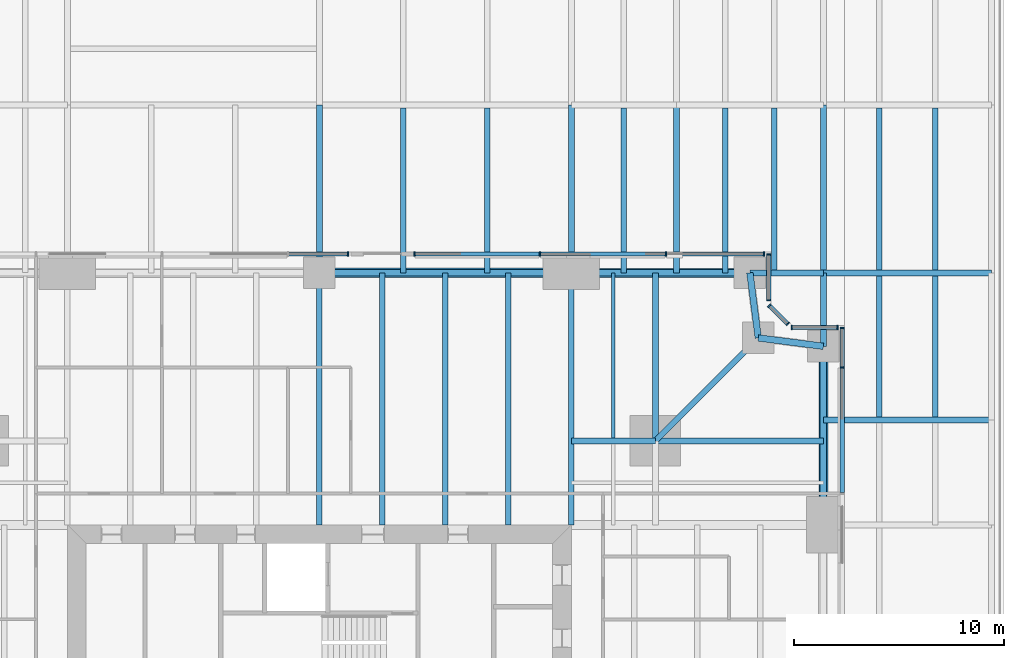
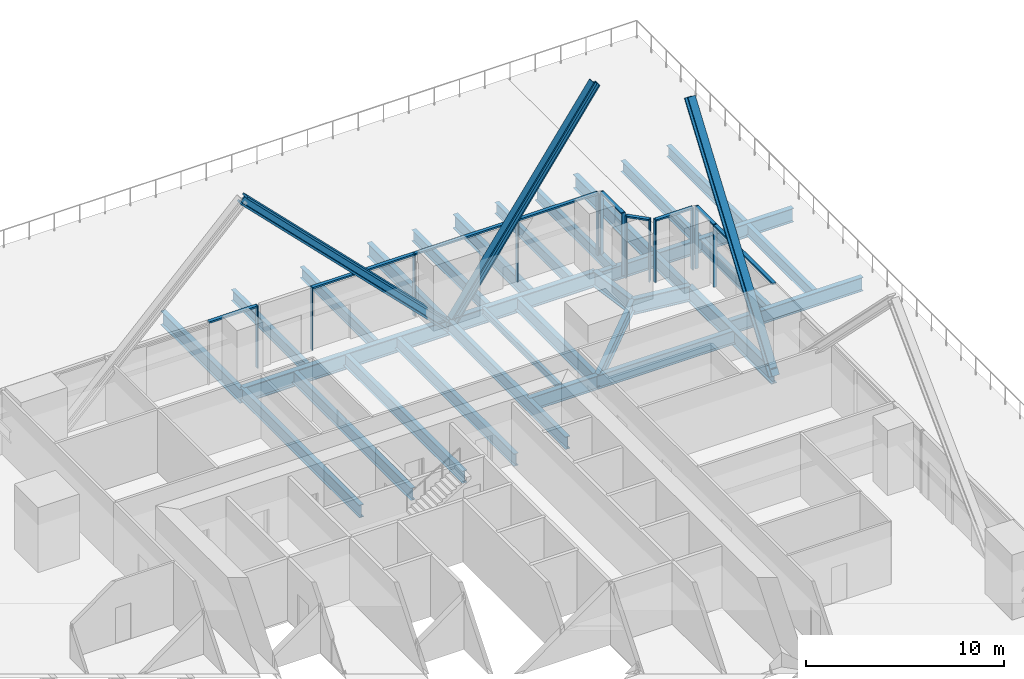
# One storey, part 9 of 21: 32 beams, 25 members, 6 elements without a shape of their own.
"""IFC4 building model written with IfcOpenShell, lengths in metres."""

from ifc_helpers import new_model, si_unit, direction, frame, origin, origin_2d, place, context, subcontext, project, spatial, rectangle, i_section, extrude, material, material_profile, profile_set, type_object, element, aggregate, save


model = new_model("IFC4")

# Units and contexts
model_context = context("Model", 3, precision=1e-05, world=origin(), true_north=direction((0.0, 1.0)))
body_context = subcontext(model_context, "Body", "Model", "MODEL_VIEW")
ifc_project = project(units=[si_unit("LENGTHUNIT", "METRE"), si_unit("AREAUNIT", "SQUARE_METRE"), si_unit("VOLUMEUNIT", "CUBIC_METRE"), si_unit("PLANEANGLEUNIT", "RADIAN"), si_unit("MASSUNIT", "GRAM", prefix="KILO")], contexts=[model_context])

# Site, building, storey
site_placement = place(None, origin())
site = spatial("IfcSite", under=ifc_project, at=site_placement, CompositionType="ELEMENT")
building_placement = place(site_placement, origin())
building = spatial("IfcBuilding", under=site, at=building_placement, Name="Fenwick Lantern Interchange", CompositionType="ELEMENT")
storey_placement = place(building_placement, frame((0.0, 0.0, 31.0)))
storey = spatial("IfcBuildingStorey", under=building, at=storey_placement, Name="L06", CompositionType="ELEMENT", Elevation=31.0)

# Beams
ifc_material_1 = material(Name="Steel ASTM A992 Grade 50", Category="steel")
ifc_material_profile_1 = material_profile(ifc_material_1, i_section(OverallWidth=0.309814453125, OverallDepth=0.949951171875, WebThickness=0.0244140625, FlangeThickness=0.0439453125, at=origin_2d()), Name="W36X256")
ifc_profile_set_1 = profile_set([ifc_material_profile_1], Name="Steel ASTM A992 Grade 50")
beam_type_1 = type_object("IfcBeamType", Name="EDGE BEAM W36X256", PredefinedType="SPANDREL", material=ifc_profile_set_1)
beam_1_placement = place(storey_placement, frame((49.0, 37.0, -0.625), z_axis=(0.0, 1.0, 0.0), x_axis=(-1.0, 0.0, 0.0)))
element("IfcBeam", 1, at=beam_1_placement, inside=storey, type_object=beam_type_1, Name="L06/FR/E/EB4", PredefinedType="SPANDREL", context=body_context, shape_type="SweptSolid", body=[
    extrude(i_section(OverallWidth=0.309814453125, OverallDepth=0.949951171875, WebThickness=0.0244140625, FlangeThickness=0.0439453125, at=origin_2d()), origin(), (0.0, 0.0, 1.0), 8.5),
])
for number, where, z_axis, x_axis, name in (
    (2, (49.0, 45.5, -0.625), (-0.991782342897, 0.127936641807, 0.0), (-0.127936641807, -0.991782342897, 0.0), "L06/FR/E/EBR1"),
    (3, (45.89990234375, 45.89990234375, -0.625), (-0.127936641807, 0.991782342897, 0.0), (-0.991782342897, -0.127936641807, 0.0), "L06/FR/E/EBR2"),
):
    element("IfcBeam", number, at=place(storey_placement, frame(where, z_axis=z_axis, x_axis=x_axis)), inside=storey, type_object=beam_type_1, Name=name, PredefinedType="SPANDREL", context=body_context, shape_type="SweptSolid", body=[
        extrude(i_section(OverallWidth=0.309814453125, OverallDepth=0.949951171875, WebThickness=0.0244140625, FlangeThickness=0.0439453125, at=origin_2d()), origin(), (0.0, 0.0, 1.0), 3.125732421875),
    ])
beam_2_placement = place(storey_placement, frame((45.5, 49.0, -0.625), z_axis=(-1.0, 0.0, 0.0), x_axis=(0.0, -1.0, 0.0)))
element("IfcBeam", 4, at=beam_2_placement, inside=storey, type_object=beam_type_1, Name="L06/FR/N/EB1", PredefinedType="SPANDREL", context=body_context, shape_type="SweptSolid", body=[
    extrude(i_section(OverallWidth=0.309814453125, OverallDepth=0.949951171875, WebThickness=0.0244140625, FlangeThickness=0.0439453125, at=origin_2d()), origin(), (0.0, 0.0, 1.0), 8.5),
])
beam_3_placement = place(storey_placement, frame((37.0, 49.0, -0.625), z_axis=(-1.0, 0.0, 0.0), x_axis=(0.0, -1.0, 0.0)))
element("IfcBeam", 5, at=beam_3_placement, inside=storey, type_object=beam_type_1, Name="L06/FR/N/EB2", PredefinedType="SPANDREL", context=body_context, shape_type="SweptSolid", body=[
    extrude(i_section(OverallWidth=0.309814453125, OverallDepth=0.949951171875, WebThickness=0.0244140625, FlangeThickness=0.0439453125, at=origin_2d()), origin(), (0.0, 0.0, 1.0), 12.0),
])

# Members
ifc_material_profile_2 = material_profile(ifc_material_1, i_section(OverallWidth=0.424072265625, OverallDepth=0.47509765625, WebThickness=0.0478515625, FlangeThickness=0.0771484375, at=origin_2d()), Name="W14X426")
ifc_profile_set_2 = profile_set([ifc_material_profile_2], Name="Steel ASTM A992 Grade 50")
member_type_1 = type_object("IfcMemberType", Name="FACADE BRACE W14X426", PredefinedType="BRACE", material=ifc_profile_set_2)
for number, where, z_axis, x_axis, name in (
    (6, (49.0, 37.0, -0.625), (0.0, 0.577407021852, 0.816456447776), (-1.0, 0.0, 0.0), "L06/FB/E/BE"),
    (7, (37.0, 49.0, -0.625), (0.577407021852, 0.0, 0.816456447776), (0.0, 1.0, 0.0), "L06/FB/N/AE"),
):
    element("IfcMember", number, at=place(storey_placement, frame(where, z_axis=z_axis, x_axis=x_axis)), inside=storey, type_object=member_type_1, Name=name, PredefinedType="BRACE", context=body_context, shape_type="SweptSolid", body=[
        extrude(i_section(OverallWidth=0.424072265625, OverallDepth=0.47509765625, WebThickness=0.0478515625, FlangeThickness=0.0771484375, at=origin_2d()), origin(), (0.0, 0.0, 1.0), 14.720947265625),
    ])
ifc_material_profile_3 = material_profile(ifc_material_1, i_section(OverallWidth=0.44189453125, OverallDepth=0.53076171875, WebThickness=0.06591796875, FlangeThickness=0.105712890625, at=origin_2d()), Name="W14X605")
ifc_profile_set_3 = profile_set([ifc_material_profile_3], Name="Steel ASTM A992 Grade 50")
member_type_2 = type_object("IfcMemberType", Name="FACADE BRACE W14X605", PredefinedType="BRACE", material=ifc_profile_set_3)
member_1_placement = place(storey_placement, frame((37.0, 49.0, -0.625), z_axis=(-0.706545945103, 0.0, 0.707667172799), x_axis=(0.0, -1.0, 0.0)))
element("IfcMember", 8, at=member_1_placement, inside=storey, type_object=member_type_2, Name="L06/FB/N/A", PredefinedType="BRACE", context=body_context, shape_type="SweptSolid", body=[
    extrude(i_section(OverallWidth=0.44189453125, OverallDepth=0.53076171875, WebThickness=0.06591796875, FlangeThickness=0.105712890625, at=origin_2d()), origin(), (0.0, 0.0, 1.0), 16.984130859375),
])

# Beams
ifc_material_profile_4 = material_profile(ifc_material_1, i_section(OverallWidth=0.2666015625, OverallDepth=0.7568359375, WebThickness=0.013916015625, FlangeThickness=0.019287109375, at=origin_2d()), Name="W30X108")
ifc_profile_set_4 = profile_set([ifc_material_profile_4], Name="Steel ASTM A992 Grade 50")
beam_type_2 = type_object("IfcBeamType", Name="FLOOR BEAM W30X108", PredefinedType="BEAM", material=ifc_profile_set_4)
for number, where, z_axis, x_axis, name in (
    (9, (34.0, 49.0, -0.528564453125), (0.0, -1.0, 0.0), (1.0, 0.0, 0.0), "L06/FR/N/R02"),
    (10, (31.0, 49.0, -0.528564453125), (0.0, -1.0, 0.0), (1.0, 0.0, 0.0), "L06/FR/N/R03"),
    (11, (28.0, 49.0, -0.528564453125), (0.0, -1.0, 0.0), (1.0, 0.0, 0.0), "L06/FR/N/R04"),
):
    element("IfcBeam", number, at=place(storey_placement, frame(where, z_axis=z_axis, x_axis=x_axis)), inside=storey, type_object=beam_type_2, Name=name, PredefinedType="BEAM", context=body_context, shape_type="SweptSolid", body=[
        extrude(i_section(OverallWidth=0.2666015625, OverallDepth=0.7568359375, WebThickness=0.013916015625, FlangeThickness=0.019287109375, at=origin_2d()), origin(), (0.0, 0.0, 1.0), 12.0),
    ])
ifc_material_profile_5 = material_profile(ifc_material_1, i_section(OverallWidth=0.177734375, OverallDepth=0.406494140625, WebThickness=0.0078125, FlangeThickness=0.012939453125, at=origin_2d()), Name="W16X40")
ifc_profile_set_5 = profile_set([ifc_material_profile_5], Name="Steel ASTM A992 Grade 50")
beam_type_3 = type_object("IfcBeamType", Name="INFILL BEAM W16X40", PredefinedType="JOIST", material=ifc_profile_set_5)
beam_4_placement = place(storey_placement, frame((39.0, 49.0, -0.353271484375), z_axis=(0.0, -1.0, 0.0), x_axis=(1.0, 0.0, 0.0)))
element("IfcBeam", 12, at=beam_4_placement, inside=storey, type_object=beam_type_3, Name="L06/FR/N/J1", PredefinedType="JOIST", context=body_context, shape_type="SweptSolid", body=[
    extrude(i_section(OverallWidth=0.177734375, OverallDepth=0.406494140625, WebThickness=0.0078125, FlangeThickness=0.012939453125, at=origin_2d()), origin(), (0.0, 0.0, 1.0), 7.85400390625),
])
ifc_material_profile_6 = material_profile(ifc_material_1, i_section(OverallWidth=0.2919921875, OverallDepth=0.845703125, WebThickness=0.015380859375, FlangeThickness=0.0244140625, at=origin_2d()), Name="W33X141")
ifc_profile_set_6 = profile_set([ifc_material_profile_6], Name="Steel ASTM A992 Grade 50")
beam_type_4 = type_object("IfcBeamType", Name="MEGA COLUMN BEAM W33X141", PredefinedType="BEAM", material=ifc_profile_set_6)
for number, where, z_axis, x_axis, name in (
    (13, (41.0, 41.0, -0.572998046875), (0.0, 1.0, 0.0), (-1.0, 0.0, 0.0), "L06/FR/N/MB1"),
    (14, (41.0, 41.0, -0.572998046875), (1.0, 0.0, 0.0), (0.0, 1.0, 0.0), "L06/FR/N/MB2"),
):
    element("IfcBeam", number, at=place(storey_placement, frame(where, z_axis=z_axis, x_axis=x_axis)), inside=storey, type_object=beam_type_4, Name=name, PredefinedType="BEAM", context=body_context, shape_type="SweptSolid", body=[
        extrude(i_section(OverallWidth=0.2919921875, OverallDepth=0.845703125, WebThickness=0.015380859375, FlangeThickness=0.0244140625, at=origin_2d()), origin(), (0.0, 0.0, 1.0), 8.0),
    ])
beam_5_placement = place(storey_placement, frame((41.0, 41.0, -0.572998046875), z_axis=(-1.0, 0.0, 0.0), x_axis=(0.0, -1.0, 0.0)))
element("IfcBeam", 15, at=beam_5_placement, inside=storey, type_object=beam_type_4, Name="L06/FR/N/MB3", PredefinedType="BEAM", context=body_context, shape_type="SweptSolid", body=[
    extrude(i_section(OverallWidth=0.2919921875, OverallDepth=0.845703125, WebThickness=0.015380859375, FlangeThickness=0.0244140625, at=origin_2d()), origin(), (0.0, 0.0, 1.0), 4.0),
])
ifc_material_profile_7 = material_profile(ifc_material_1, i_section(OverallWidth=0.2666015625, OverallDepth=0.76953125, WebThickness=0.015625, FlangeThickness=0.025390625, at=origin_2d()), Name="W30X132")
ifc_profile_set_7 = profile_set([ifc_material_profile_7], Name="Steel ASTM A992 Grade 50")
beam_type_5 = type_object("IfcBeamType", Name="MOMENT-CONNECTED GIRDER W30X132", PredefinedType="BEAM", material=ifc_profile_set_7)
for number, where, z_axis, x_axis, name in (
    (16, (37.0, 49.0, -0.534912109375), (0.0, -1.0, 0.0), (1.0, 0.0, 0.0), "L06/FR/N/R01"),
    (17, (25.0, 49.0, -0.534912109375), (0.0, -1.0, 0.0), (1.0, 0.0, 0.0), "L06/FR/N/R05"),
):
    element("IfcBeam", number, at=place(storey_placement, frame(where, z_axis=z_axis, x_axis=x_axis)), inside=storey, type_object=beam_type_5, Name=name, PredefinedType="BEAM", context=body_context, shape_type="SweptSolid", body=[
        extrude(i_section(OverallWidth=0.2666015625, OverallDepth=0.76953125, WebThickness=0.015625, FlangeThickness=0.025390625, at=origin_2d()), origin(), (0.0, 0.0, 1.0), 12.0),
    ])
ifc_material_profile_8 = material_profile(ifc_material_1, i_section(OverallWidth=0.2919921875, OverallDepth=0.845703125, WebThickness=0.015380859375, FlangeThickness=0.0244140625, at=origin_2d()), Name="W33X141")
ifc_profile_set_8 = profile_set([ifc_material_profile_8], Name="Steel ASTM A992 Grade 50")
beam_type_6 = type_object("IfcBeamType", Name="MOMENT-CONNECTED PODIUM GIRDER W33X141", PredefinedType="BEAM", material=ifc_profile_set_8)
beam_6_placement = place(storey_placement, frame((49.0, 42.0, -0.722900390625), z_axis=(1.0, 0.0, 0.0), x_axis=(0.0, 1.0, 0.0)))
element("IfcBeam", 18, at=beam_6_placement, inside=storey, type_object=beam_type_6, Name="L06/PF/G022", PredefinedType="BEAM", context=body_context, shape_type="SweptSolid", body=[
    extrude(i_section(OverallWidth=0.2919921875, OverallDepth=0.845703125, WebThickness=0.015380859375, FlangeThickness=0.0244140625, at=origin_2d()), origin(), (0.0, 0.0, 1.0), 8.0),
])
beam_7_placement = place(storey_placement, frame((45.5, 49.0, -0.722900390625), z_axis=(1.0, 0.0, 0.0), x_axis=(0.0, 1.0, 0.0)))
element("IfcBeam", 19, at=beam_7_placement, inside=storey, type_object=beam_type_6, Name="L06/PF/G025", PredefinedType="BEAM", context=body_context, shape_type="SweptSolid", body=[
    extrude(i_section(OverallWidth=0.2919921875, OverallDepth=0.845703125, WebThickness=0.015380859375, FlangeThickness=0.0244140625, at=origin_2d()), origin(), (0.0, 0.0, 1.0), 3.5),
])
for number, where, z_axis, x_axis, name in (
    (20, (49.0, 49.0, -0.722900390625), (1.0, 0.0, 0.0), (0.0, 1.0, 0.0), "L06/PF/G026"),
    (21, (25.0, 49.0, -0.722900390625), (0.0, 1.0, 0.0), (-1.0, 0.0, 0.0), "L06/PF/G064"),
    (22, (37.0, 49.0, -0.722900390625), (0.0, 1.0, 0.0), (-1.0, 0.0, 0.0), "L06/PF/G067"),
    (23, (42.0, 49.0, -0.722900390625), (0.0, 1.0, 0.0), (-1.0, 0.0, 0.0), "L06/PF/G070"),
):
    element("IfcBeam", number, at=place(storey_placement, frame(where, z_axis=z_axis, x_axis=x_axis)), inside=storey, type_object=beam_type_6, Name=name, PredefinedType="BEAM", context=body_context, shape_type="SweptSolid", body=[
        extrude(i_section(OverallWidth=0.2919921875, OverallDepth=0.845703125, WebThickness=0.015380859375, FlangeThickness=0.0244140625, at=origin_2d()), origin(), (0.0, 0.0, 1.0), 8.0),
    ])
beam_8_placement = place(storey_placement, frame((49.0, 45.5, -0.722900390625), z_axis=(0.0, 1.0, 0.0), x_axis=(-1.0, 0.0, 0.0)))
element("IfcBeam", 24, at=beam_8_placement, inside=storey, type_object=beam_type_6, Name="L06/PF/G074", PredefinedType="BEAM", context=body_context, shape_type="SweptSolid", body=[
    extrude(i_section(OverallWidth=0.2919921875, OverallDepth=0.845703125, WebThickness=0.015380859375, FlangeThickness=0.0244140625, at=origin_2d()), origin(), (0.0, 0.0, 1.0), 3.5),
])
beam_9_placement = place(storey_placement, frame((49.0, 49.0, -0.722900390625), z_axis=(0.0, 1.0, 0.0), x_axis=(-1.0, 0.0, 0.0)))
element("IfcBeam", 25, at=beam_9_placement, inside=storey, type_object=beam_type_6, Name="L06/PF/G075", PredefinedType="BEAM", context=body_context, shape_type="SweptSolid", body=[
    extrude(i_section(OverallWidth=0.2919921875, OverallDepth=0.845703125, WebThickness=0.015380859375, FlangeThickness=0.0244140625, at=origin_2d()), origin(), (0.0, 0.0, 1.0), 8.0),
])
ifc_material_profile_9 = material_profile(ifc_material_1, i_section(OverallWidth=0.2666015625, OverallDepth=0.7568359375, WebThickness=0.013916015625, FlangeThickness=0.019287109375, at=origin_2d()), Name="W30X108")
ifc_profile_set_9 = profile_set([ifc_material_profile_9], Name="Steel ASTM A992 Grade 50")
beam_type_7 = type_object("IfcBeamType", Name="NOTCH BEAM W30X108", PredefinedType="BEAM", material=ifc_profile_set_9)
beam_10_placement = place(storey_placement, frame((41.0, 41.0, -0.528564453125), z_axis=(0.707106781187, 0.707106781187, 0.0), x_axis=(-0.707106781187, 0.707106781187, 0.0)))
element("IfcBeam", 26, at=beam_10_placement, inside=storey, type_object=beam_type_7, Name="L06/FR/N/TG", PredefinedType="BEAM", context=body_context, shape_type="SweptSolid", body=[
    extrude(i_section(OverallWidth=0.2666015625, OverallDepth=0.7568359375, WebThickness=0.013916015625, FlangeThickness=0.019287109375, at=origin_2d()), origin(), (0.0, 0.0, 1.0), 6.929443359375),
])

# Curtain wall, members
ifc_material_2 = material(Name="Aluminium curtain wall frame", Category="aluminium")
curtain_wall_type = type_object("IfcCurtainWallType", Name="OFFICE CURTAIN WALL", PredefinedType="USERDEFINED", material=ifc_material_2)
curtain_wall_1_placement = place(storey_placement, origin())
curtain_wall_1 = element("IfcCurtainWall", 27, at=curtain_wall_1_placement, inside=storey, type_object=curtain_wall_type, Name="Office curtain wall 05B", ObjectType="OFFICE CURTAIN WALL", PredefinedType="USERDEFINED")
ifc_material_3 = material(Name="Aluminium extrusion", Category="aluminium")
ifc_material_profile_10 = material_profile(ifc_material_3, rectangle(XDim=0.199951171875, YDim=0.06494140625, at=origin_2d()), Name="OFFICE CURTAIN WALL MULLION 65 X 200")
ifc_profile_set_10 = profile_set([ifc_material_profile_10], Name="Aluminium extrusion")
member_type_3 = type_object("IfcMemberType", Name="OFFICE CURTAIN WALL MULLION 65 X 200", PredefinedType="MULLION", material=ifc_profile_set_10)
member_2_placement = place(storey_placement, frame((49.89990234375, 44.5, 0.0), z_axis=(0.0, 0.0, 1.0), x_axis=(-1.0, 0.0, 0.0)))
member_2 = element("IfcMember", 28, at=member_2_placement, type_object=member_type_3, Name="L06/CW/05B/M04", PredefinedType="MULLION", context=body_context, shape_type="SweptSolid", body=[
    extrude(rectangle(XDim=0.199951171875, YDim=0.06494140625, at=origin_2d()), origin(), (0.0, 0.0, 1.0), 3.85009765625),
])
member_3_placement = place(storey_placement, frame((49.89990234375, 46.367431640625, 0.0), z_axis=(0.0, 0.0, 1.0), x_axis=(-1.0, 0.0, 0.0)))
member_3 = element("IfcMember", 29, at=member_3_placement, type_object=member_type_3, Name="L06/CW/05B/M05", PredefinedType="MULLION", context=body_context, shape_type="SweptSolid", body=[
    extrude(rectangle(XDim=0.199951171875, YDim=0.06494140625, at=origin_2d()), origin(), (0.0, 0.0, 1.0), 3.85009765625),
])

curtain_wall_2_placement = place(storey_placement, origin())
curtain_wall_2 = element("IfcCurtainWall", 30, at=curtain_wall_2_placement, inside=storey, type_object=curtain_wall_type, Name="Office curtain wall 06", ObjectType="OFFICE CURTAIN WALL", PredefinedType="USERDEFINED")
member_4_placement = place(storey_placement, frame((49.66748046875, 46.39990234375, 0.0), z_axis=(0.0, 0.0, 1.0), x_axis=(0.0, -1.0, 0.0)))
member_4 = element("IfcMember", 31, at=member_4_placement, type_object=member_type_3, Name="L06/CW/06/M00", PredefinedType="MULLION", context=body_context, shape_type="SweptSolid", body=[
    extrude(rectangle(XDim=0.199951171875, YDim=0.06494140625, at=origin_2d()), origin(), (0.0, 0.0, 1.0), 3.85009765625),
])
member_5_placement = place(storey_placement, frame((47.490966796875, 46.39990234375, 0.0), z_axis=(0.0, 0.0, 1.0), x_axis=(0.0, -1.0, 0.0)))
member_5 = element("IfcMember", 32, at=member_5_placement, type_object=member_type_3, Name="L06/CW/06/M01", PredefinedType="MULLION", context=body_context, shape_type="SweptSolid", body=[
    extrude(rectangle(XDim=0.199951171875, YDim=0.06494140625, at=origin_2d()), origin(), (0.0, 0.0, 1.0), 3.85009765625),
])

curtain_wall_3_placement = place(storey_placement, origin())
curtain_wall_3 = element("IfcCurtainWall", 33, at=curtain_wall_3_placement, inside=storey, type_object=curtain_wall_type, Name="Office curtain wall 07", ObjectType="OFFICE CURTAIN WALL", PredefinedType="USERDEFINED")
member_6_placement = place(storey_placement, frame((47.294189453125, 46.564453125, 0.0), z_axis=(0.0, 0.0, 1.0), x_axis=(-0.707106781187, -0.707106781187, 0.0)))
member_6 = element("IfcMember", 34, at=member_6_placement, type_object=member_type_3, Name="L06/CW/07/M00", PredefinedType="MULLION", context=body_context, shape_type="SweptSolid", body=[
    extrude(rectangle(XDim=0.199951171875, YDim=0.06494140625, at=origin_2d()), origin(), (0.0, 0.0, 1.0), 3.85009765625),
])
member_7_placement = place(storey_placement, frame((46.423095703125, 47.435546875, 0.0), z_axis=(0.0, 0.0, 1.0), x_axis=(-0.707106781187, -0.707106781187, 0.0)))
member_7 = element("IfcMember", 35, at=member_7_placement, type_object=member_type_3, Name="L06/CW/07/M01", PredefinedType="MULLION", context=body_context, shape_type="SweptSolid", body=[
    extrude(rectangle(XDim=0.199951171875, YDim=0.06494140625, at=origin_2d()), origin(), (0.0, 0.0, 1.0), 3.85009765625),
])

curtain_wall_4_placement = place(storey_placement, origin())
curtain_wall_4 = element("IfcCurtainWall", 36, at=curtain_wall_4_placement, inside=storey, type_object=curtain_wall_type, Name="Office curtain wall 08", ObjectType="OFFICE CURTAIN WALL", PredefinedType="USERDEFINED")
member_8_placement = place(storey_placement, frame((46.39990234375, 47.691162109375, 0.0), z_axis=(0.0, 0.0, 1.0), x_axis=(-1.0, 0.0, 0.0)))
member_8 = element("IfcMember", 37, at=member_8_placement, type_object=member_type_3, Name="L06/CW/08/M00", PredefinedType="MULLION", context=body_context, shape_type="SweptSolid", body=[
    extrude(rectangle(XDim=0.199951171875, YDim=0.06494140625, at=origin_2d()), origin(), (0.0, 0.0, 1.0), 3.85009765625),
])
member_9_placement = place(storey_placement, frame((46.39990234375, 49.867431640625, 0.0), z_axis=(0.0, 0.0, 1.0), x_axis=(-1.0, 0.0, 0.0)))
member_9 = element("IfcMember", 38, at=member_9_placement, type_object=member_type_3, Name="L06/CW/08/M01", PredefinedType="MULLION", context=body_context, shape_type="SweptSolid", body=[
    extrude(rectangle(XDim=0.199951171875, YDim=0.06494140625, at=origin_2d()), origin(), (0.0, 0.0, 1.0), 3.85009765625),
])

curtain_wall_5_placement = place(storey_placement, origin())
curtain_wall_5 = element("IfcCurtainWall", 39, at=curtain_wall_5_placement, inside=storey, type_object=curtain_wall_type, Name="Office curtain wall 09A", ObjectType="OFFICE CURTAIN WALL", PredefinedType="USERDEFINED")
member_10_placement = place(storey_placement, frame((46.16748046875, 49.89990234375, 0.0), z_axis=(0.0, 0.0, 1.0), x_axis=(0.0, -1.0, 0.0)))
member_10 = element("IfcMember", 40, at=member_10_placement, type_object=member_type_3, Name="L06/CW/09A/M00", PredefinedType="MULLION", context=body_context, shape_type="SweptSolid", body=[
    extrude(rectangle(XDim=0.199951171875, YDim=0.06494140625, at=origin_2d()), origin(), (0.0, 0.0, 1.0), 3.85009765625),
])
member_11_placement = place(storey_placement, frame((41.5, 49.89990234375, 0.0), z_axis=(0.0, 0.0, 1.0), x_axis=(0.0, -1.0, 0.0)))
member_11 = element("IfcMember", 41, at=member_11_placement, type_object=member_type_3, Name="L06/CW/09A/M01", PredefinedType="MULLION", context=body_context, shape_type="SweptSolid", body=[
    extrude(rectangle(XDim=0.199951171875, YDim=0.06494140625, at=origin_2d()), origin(), (0.0, 0.0, 1.0), 3.85009765625),
])
member_12_placement = place(storey_placement, frame((35.5, 49.89990234375, 0.0), z_axis=(0.0, 0.0, 1.0), x_axis=(0.0, -1.0, 0.0)))
member_12 = element("IfcMember", 42, at=member_12_placement, type_object=member_type_3, Name="L06/CW/09A/M02", PredefinedType="MULLION", context=body_context, shape_type="SweptSolid", body=[
    extrude(rectangle(XDim=0.199951171875, YDim=0.06494140625, at=origin_2d()), origin(), (0.0, 0.0, 1.0), 3.85009765625),
])
member_13_placement = place(storey_placement, frame((29.532470703125, 49.89990234375, 0.0), z_axis=(0.0, 0.0, 1.0), x_axis=(0.0, -1.0, 0.0)))
member_13 = element("IfcMember", 43, at=member_13_placement, type_object=member_type_3, Name="L06/CW/09A/M03", PredefinedType="MULLION", context=body_context, shape_type="SweptSolid", body=[
    extrude(rectangle(XDim=0.199951171875, YDim=0.06494140625, at=origin_2d()), origin(), (0.0, 0.0, 1.0), 3.85009765625),
])

# Curtain wall, member
curtain_wall_6_placement = place(storey_placement, origin())
curtain_wall_6 = element("IfcCurtainWall", 44, at=curtain_wall_6_placement, inside=storey, type_object=curtain_wall_type, Name="Office curtain wall 09B", ObjectType="OFFICE CURTAIN WALL", PredefinedType="USERDEFINED")
member_14_placement = place(storey_placement, frame((26.367431640625, 49.89990234375, 0.0), z_axis=(0.0, 0.0, 1.0), x_axis=(0.0, -1.0, 0.0)))
member_14 = element("IfcMember", 45, at=member_14_placement, type_object=member_type_3, Name="L06/CW/09B/M00", PredefinedType="MULLION", context=body_context, shape_type="SweptSolid", body=[
    extrude(rectangle(XDim=0.199951171875, YDim=0.06494140625, at=origin_2d()), origin(), (0.0, 0.0, 1.0), 3.85009765625),
])

# Member
ifc_material_profile_11 = material_profile(ifc_material_3, rectangle(XDim=0.199951171875, YDim=0.10009765625, at=origin_2d()), Name="OFFICE CURTAIN WALL TRANSOM 100 X 200")
ifc_profile_set_11 = profile_set([ifc_material_profile_11], Name="Aluminium extrusion")
member_type_4 = type_object("IfcMemberType", Name="OFFICE CURTAIN WALL TRANSOM 100 X 200", PredefinedType="MULLION", material=ifc_profile_set_11)
member_15_placement = place(storey_placement, frame((49.89990234375, 38.532470703125, 3.800048828125), z_axis=(0.0, 1.0, 0.0), x_axis=(-1.0, 0.0, 0.0)))
member_15 = element("IfcMember", 46, at=member_15_placement, type_object=member_type_4, Name="L06/CW/05B/T03", PredefinedType="MULLION", context=body_context, shape_type="SweptSolid", body=[
    extrude(rectangle(XDim=0.199951171875, YDim=0.10009765625, at=origin_2d()), origin(), (0.0, 0.0, 1.0), 5.93505859375),
])

member_16_placement = place(storey_placement, frame((49.89990234375, 44.532470703125, 3.800048828125), z_axis=(0.0, 1.0, 0.0), x_axis=(-1.0, 0.0, 0.0)))
member_16 = element("IfcMember", 47, at=member_16_placement, type_object=member_type_4, Name="L06/CW/05B/T04", PredefinedType="MULLION", context=body_context, shape_type="SweptSolid", body=[
    extrude(rectangle(XDim=0.199951171875, YDim=0.10009765625, at=origin_2d()), origin(), (0.0, 0.0, 1.0), 1.802490234375),
])

aggregate(curtain_wall_1, [member_2, member_3, member_15, member_16])

member_17_placement = place(storey_placement, frame((49.635009765625, 46.39990234375, 3.800048828125), z_axis=(-1.0, 0.0, 0.0), x_axis=(0.0, -1.0, 0.0)))
member_17 = element("IfcMember", 48, at=member_17_placement, type_object=member_type_4, Name="L06/CW/06/T00", PredefinedType="MULLION", context=body_context, shape_type="SweptSolid", body=[
    extrude(rectangle(XDim=0.199951171875, YDim=0.10009765625, at=origin_2d()), origin(), (0.0, 0.0, 1.0), 2.111328125),
])

aggregate(curtain_wall_2, [member_4, member_5, member_17])

member_18_placement = place(storey_placement, frame((47.271240234375, 46.58740234375, 3.800048828125), z_axis=(-0.707106781187, 0.707106781187, 0.0), x_axis=(-0.707106781187, -0.707106781187, 0.0)))
member_18 = element("IfcMember", 49, at=member_18_placement, type_object=member_type_4, Name="L06/CW/07/T00", PredefinedType="MULLION", context=body_context, shape_type="SweptSolid", body=[
    extrude(rectangle(XDim=0.199951171875, YDim=0.10009765625, at=origin_2d()), origin(), (0.0, 0.0, 1.0), 1.1669921875),
])

aggregate(curtain_wall_3, [member_6, member_7, member_18])

member_19_placement = place(storey_placement, frame((46.39990234375, 47.7236328125, 3.800048828125), z_axis=(0.0, 1.0, 0.0), x_axis=(-1.0, 0.0, 0.0)))
member_19 = element("IfcMember", 50, at=member_19_placement, type_object=member_type_4, Name="L06/CW/08/T00", PredefinedType="MULLION", context=body_context, shape_type="SweptSolid", body=[
    extrude(rectangle(XDim=0.199951171875, YDim=0.10009765625, at=origin_2d()), origin(), (0.0, 0.0, 1.0), 2.111328125),
])

aggregate(curtain_wall_4, [member_8, member_9, member_19])

member_20_placement = place(storey_placement, frame((46.135009765625, 49.89990234375, 3.800048828125), z_axis=(-1.0, 0.0, 0.0), x_axis=(0.0, -1.0, 0.0)))
member_20 = element("IfcMember", 51, at=member_20_placement, type_object=member_type_4, Name="L06/CW/09A/T00", PredefinedType="MULLION", context=body_context, shape_type="SweptSolid", body=[
    extrude(rectangle(XDim=0.199951171875, YDim=0.10009765625, at=origin_2d()), origin(), (0.0, 0.0, 1.0), 4.6025390625),
])

member_21_placement = place(storey_placement, frame((41.467529296875, 49.89990234375, 3.800048828125), z_axis=(-1.0, 0.0, 0.0), x_axis=(0.0, -1.0, 0.0)))
member_21 = element("IfcMember", 52, at=member_21_placement, type_object=member_type_4, Name="L06/CW/09A/T01", PredefinedType="MULLION", context=body_context, shape_type="SweptSolid", body=[
    extrude(rectangle(XDim=0.199951171875, YDim=0.10009765625, at=origin_2d()), origin(), (0.0, 0.0, 1.0), 5.93505859375),
])

member_22_placement = place(storey_placement, frame((35.467529296875, 49.89990234375, 3.800048828125), z_axis=(-1.0, 0.0, 0.0), x_axis=(0.0, -1.0, 0.0)))
member_22 = element("IfcMember", 53, at=member_22_placement, type_object=member_type_4, Name="L06/CW/09A/T02", PredefinedType="MULLION", context=body_context, shape_type="SweptSolid", body=[
    extrude(rectangle(XDim=0.199951171875, YDim=0.10009765625, at=origin_2d()), origin(), (0.0, 0.0, 1.0), 5.902587890625),
])

aggregate(curtain_wall_5, [member_10, member_11, member_12, member_13, member_20, member_21, member_22])

member_23_placement = place(storey_placement, frame((26.3349609375, 49.89990234375, 3.800048828125), z_axis=(-1.0, 0.0, 0.0), x_axis=(0.0, -1.0, 0.0)))
member_23 = element("IfcMember", 54, at=member_23_placement, type_object=member_type_4, Name="L06/CW/09B/T00", PredefinedType="MULLION", context=body_context, shape_type="SweptSolid", body=[
    extrude(rectangle(XDim=0.199951171875, YDim=0.10009765625, at=origin_2d()), origin(), (0.0, 0.0, 1.0), 2.802490234375),
])

aggregate(curtain_wall_6, [member_14, member_23])

# Beams
ifc_material_profile_12 = material_profile(ifc_material_1, i_section(OverallWidth=0.25390625, OverallDepth=0.683349609375, WebThickness=0.012451171875, FlangeThickness=0.01904296875, at=origin_2d()), Name="W27X94")
ifc_profile_set_12 = profile_set([ifc_material_profile_12], Name="Steel ASTM A992 Grade 50")
beam_type_8 = type_object("IfcBeamType", Name="PODIUM BEAM W27X94", PredefinedType="JOIST", material=ifc_profile_set_12)
for number, where, z_axis, x_axis, name in (
    (55, (29.0, 49.0, -0.6416015625), (0.0, 1.0, 0.0), (-1.0, 0.0, 0.0), "L06/PF/J117"),
    (56, (33.0, 49.0, -0.6416015625), (0.0, 1.0, 0.0), (-1.0, 0.0, 0.0), "L06/PF/J118"),
    (57, (39.5, 49.0, -0.6416015625), (0.0, 1.0, 0.0), (-1.0, 0.0, 0.0), "L06/PF/J122"),
    (58, (44.333251953125, 49.0, -0.6416015625), (0.0, 1.0, 0.0), (-1.0, 0.0, 0.0), "L06/PF/J126"),
    (59, (46.666748046875, 49.0, -0.6416015625), (0.0, 1.0, 0.0), (-1.0, 0.0, 0.0), "L06/PF/J127"),
):
    element("IfcBeam", number, at=place(storey_placement, frame(where, z_axis=z_axis, x_axis=x_axis)), inside=storey, type_object=beam_type_8, Name=name, PredefinedType="JOIST", context=body_context, shape_type="SweptSolid", body=[
        extrude(i_section(OverallWidth=0.25390625, OverallDepth=0.683349609375, WebThickness=0.012451171875, FlangeThickness=0.01904296875, at=origin_2d()), origin(), (0.0, 0.0, 1.0), 7.85400390625),
    ])
for number, where, z_axis, x_axis, name in (
    (60, (51.666748046875, 42.14599609375, -0.6416015625), (0.0, 1.0, 0.0), (-1.0, 0.0, 0.0), "L06/PF/J140"),
    (61, (54.333251953125, 42.14599609375, -0.6416015625), (0.0, 1.0, 0.0), (-1.0, 0.0, 0.0), "L06/PF/J141"),
):
    element("IfcBeam", number, at=place(storey_placement, frame(where, z_axis=z_axis, x_axis=x_axis)), inside=storey, type_object=beam_type_8, Name=name, PredefinedType="JOIST", context=body_context, shape_type="SweptSolid", body=[
        extrude(i_section(OverallWidth=0.25390625, OverallDepth=0.683349609375, WebThickness=0.012451171875, FlangeThickness=0.01904296875, at=origin_2d()), origin(), (0.0, 0.0, 1.0), 6.7080078125),
    ])
for number, where, z_axis, x_axis, name in (
    (62, (51.666748046875, 49.14599609375, -0.6416015625), (0.0, 1.0, 0.0), (-1.0, 0.0, 0.0), "L06/PF/J142"),
    (63, (54.333251953125, 49.14599609375, -0.6416015625), (0.0, 1.0, 0.0), (-1.0, 0.0, 0.0), "L06/PF/J143"),
):
    element("IfcBeam", number, at=place(storey_placement, frame(where, z_axis=z_axis, x_axis=x_axis)), inside=storey, type_object=beam_type_8, Name=name, PredefinedType="JOIST", context=body_context, shape_type="SweptSolid", body=[
        extrude(i_section(OverallWidth=0.25390625, OverallDepth=0.683349609375, WebThickness=0.012451171875, FlangeThickness=0.01904296875, at=origin_2d()), origin(), (0.0, 0.0, 1.0), 7.7080078125),
    ])

save(model, "model.ifc")
